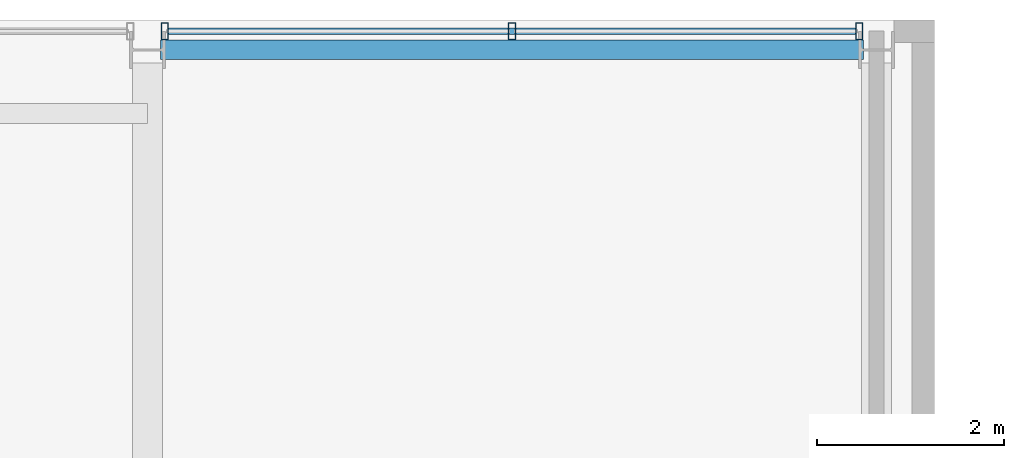
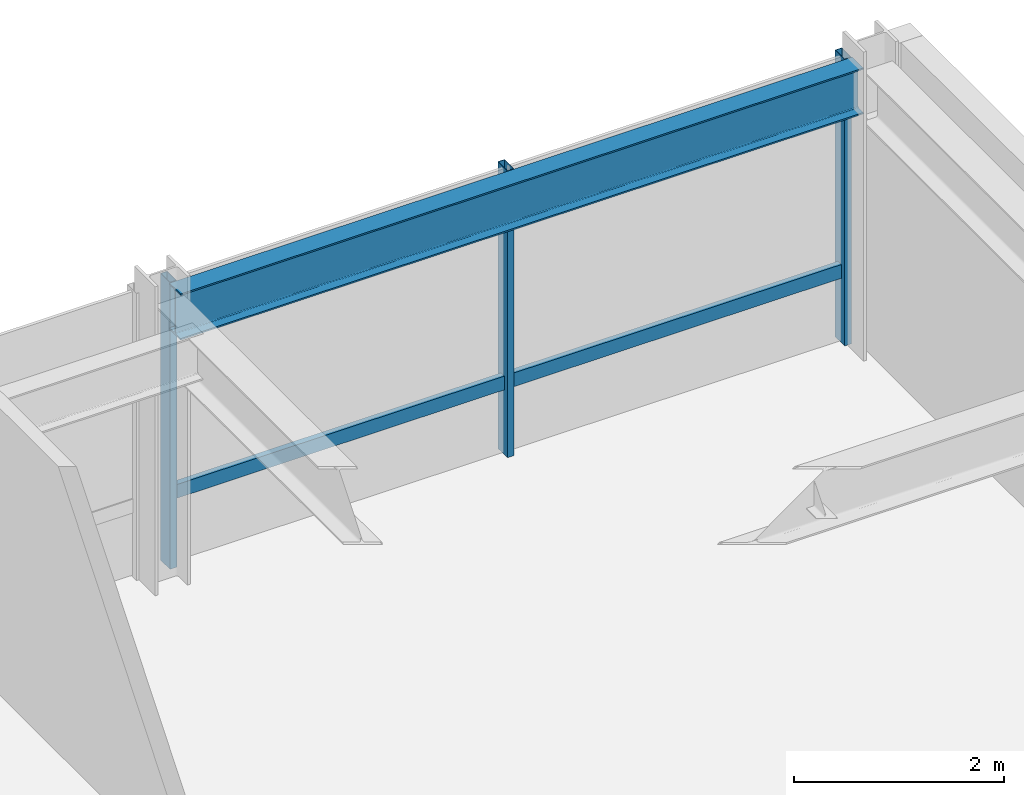
# One storey, part 24 of 32: 4 members, 1 beam, 1 element without a shape of its own.
"""IFC4 building model written with IfcOpenShell, lengths in metres."""

from ifc_helpers import new_model, si_unit, direction, frame, origin, origin_2d, place, context, subcontext, project, spatial, hollow_rectangle, i_section, extrude, material, layer, layer_set, material_profile, profile_set, type_object, element, aggregate, save


model = new_model("IFC4")

# Units and contexts
model_context = context("Model", 3, precision=1e-05, world=origin(), true_north=direction((0.0, 1.0)))
body_context = subcontext(model_context, "Body", "Model", "MODEL_VIEW")
ifc_project = project(units=[si_unit("LENGTHUNIT", "METRE"), si_unit("AREAUNIT", "SQUARE_METRE"), si_unit("VOLUMEUNIT", "CUBIC_METRE"), si_unit("PLANEANGLEUNIT", "RADIAN"), si_unit("MASSUNIT", "GRAM", prefix="KILO")], contexts=[model_context])

# Site, building, storey
site_placement = place(None, origin())
site = spatial("IfcSite", under=ifc_project, at=site_placement, CompositionType="ELEMENT")
building_placement = place(site_placement, origin())
building = spatial("IfcBuilding", under=site, at=building_placement, Name="Drelvath Grand Hotel", CompositionType="ELEMENT")
storey_placement = place(building_placement, frame((0.0, 0.0, 233.89990234375)))
storey = spatial("IfcBuildingStorey", under=building, at=storey_placement, Name="L61", CompositionType="ELEMENT", Elevation=233.89990234375)

# Curtain wall, members
ifc_material_1 = material(Name="Platinum-Mist Anodised Aluminium Frame", Category="aluminium")
ifc_layer = layer(ifc_material_1, 0.199951171875)
ifc_layer_set = layer_set([ifc_layer], Name="Platinum-Mist Anodised Aluminium Frame")
curtain_wall_type = type_object("IfcCurtainWallType", Name="Stick Curtain Wall CW-05 Platinum Mist High-Rise", PredefinedType="NOTDEFINED", material=ifc_layer_set)
curtain_wall_placement = place(storey_placement, origin())
curtain_wall = element("IfcCurtainWall", 1, at=curtain_wall_placement, inside=storey, type_object=curtain_wall_type, Name="L61 CW-05 Curtain Wall CW05-L61-NE2", PredefinedType="NOTDEFINED")
ifc_material_profile_1 = material_profile(ifc_material_1, hollow_rectangle(XDim=0.06494140625, YDim=0.159912109375, WallThickness=0.00390625, at=origin_2d()), Name="HSS160X65X4")
ifc_profile_set_1 = profile_set([ifc_material_profile_1], Name="Platinum-Mist Anodised Aluminium Frame")
member_type_1 = type_object("IfcMemberType", Name="Curtain Wall Horizontal Transom CW-05 HSS160X65X4", PredefinedType="USERDEFINED", material=ifc_profile_set_1)
member_1_placement = place(storey_placement, frame((8.625244140625, 49.080078125, 0.835205078125), z_axis=(1.0, 0.0, 0.0), x_axis=(0.0, 1.0, 0.0)))
member_1 = element("IfcMember", 2, at=member_1_placement, type_object=member_type_1, Name="CW05-L61-NE2 Sill Transom", ObjectType="TRANSOM", PredefinedType="USERDEFINED", context=body_context, shape_type="SweptSolid", body=[
    extrude(hollow_rectangle(XDim=0.06494140625, YDim=0.159912109375, WallThickness=0.00390625, at=origin_2d()), origin(), (0.0, 0.0, 1.0), 7.349365234375),
])
ifc_material_profile_2 = material_profile(ifc_material_1, hollow_rectangle(XDim=0.074951171875, YDim=0.179931640625, WallThickness=0.0048828125, at=origin_2d()), Name="HSS180X75X5")
ifc_profile_set_2 = profile_set([ifc_material_profile_2], Name="Platinum-Mist Anodised Aluminium Frame")
member_type_2 = type_object("IfcMemberType", Name="Curtain Wall Vertical Mullion CW-05 HSS180X75X5", PredefinedType="MULLION", material=ifc_profile_set_2)
member_2_placement = place(storey_placement, frame((8.585205078125, 49.080078125, 0.0), z_axis=(0.0, 0.0, 1.0), x_axis=(1.0, 0.0, 0.0)))
member_2 = element("IfcMember", 3, at=member_2_placement, type_object=member_type_2, Name="CW05-L61-NE2 Mullion 1", PredefinedType="MULLION", context=body_context, shape_type="SweptSolid", body=[
    extrude(hollow_rectangle(XDim=0.074951171875, YDim=0.179931640625, WallThickness=0.0048828125, at=origin_2d()), origin(), (0.0, 0.0, 1.0), 3.340087890625),
])
member_3_placement = place(storey_placement, frame((12.300048828125, 49.080078125, 0.0), z_axis=(0.0, 0.0, 1.0), x_axis=(1.0, 0.0, 0.0)))
member_3 = element("IfcMember", 4, at=member_3_placement, type_object=member_type_2, Name="CW05-L61-NE2 Mullion 2", PredefinedType="MULLION", context=body_context, shape_type="SweptSolid", body=[
    extrude(hollow_rectangle(XDim=0.074951171875, YDim=0.179931640625, WallThickness=0.0048828125, at=origin_2d()), origin(), (0.0, 0.0, 1.0), 3.340087890625),
])
member_4_placement = place(storey_placement, frame((16.0146484375, 49.080078125, 0.0), z_axis=(0.0, 0.0, 1.0), x_axis=(1.0, 0.0, 0.0)))
member_4 = element("IfcMember", 5, at=member_4_placement, type_object=member_type_2, Name="CW05-L61-NE2 Mullion 3", PredefinedType="MULLION", context=body_context, shape_type="SweptSolid", body=[
    extrude(hollow_rectangle(XDim=0.074951171875, YDim=0.179931640625, WallThickness=0.0048828125, at=origin_2d()), origin(), (0.0, 0.0, 1.0), 3.340087890625),
])
aggregate(curtain_wall, [member_2, member_3, member_4, member_1])

# Beam
ifc_material_2 = material(Name="Steel ASTM A992 Gr 50", Category="steel")
ifc_material_profile_3 = material_profile(ifc_material_2, i_section(OverallWidth=0.210205078125, OverallDepth=0.53662109375, WebThickness=0.010986328125, FlangeThickness=0.017333984375, FilletRadius=0.01806640625, at=origin_2d()), Name="W21X68")
ifc_profile_set_3 = profile_set([ifc_material_profile_3], Name="Steel ASTM A992 Gr 50")
beam_type = type_object("IfcBeamType", Name="Perimeter Spandrel Beam W21X68", PredefinedType="SPANDREL", material=ifc_profile_set_3)
beam_placement = place(storey_placement, frame((8.5400390625, 48.8798828125, 3.07177734375), z_axis=(1.0, 0.0, 0.0), x_axis=(0.0, 1.0, 0.0)))
element("IfcBeam", 6, at=beam_placement, inside=storey, type_object=beam_type, Name="L61 Spandrel North E", PredefinedType="SPANDREL", context=body_context, shape_type="SweptSolid", body=[
    extrude(i_section(OverallWidth=0.210205078125, OverallDepth=0.53662109375, WebThickness=0.010986328125, FlangeThickness=0.017333984375, FilletRadius=0.01806640625, at=origin_2d()), origin(), (0.0, 0.0, 1.0), 7.52001953125),
])

save(model, "model.ifc")
